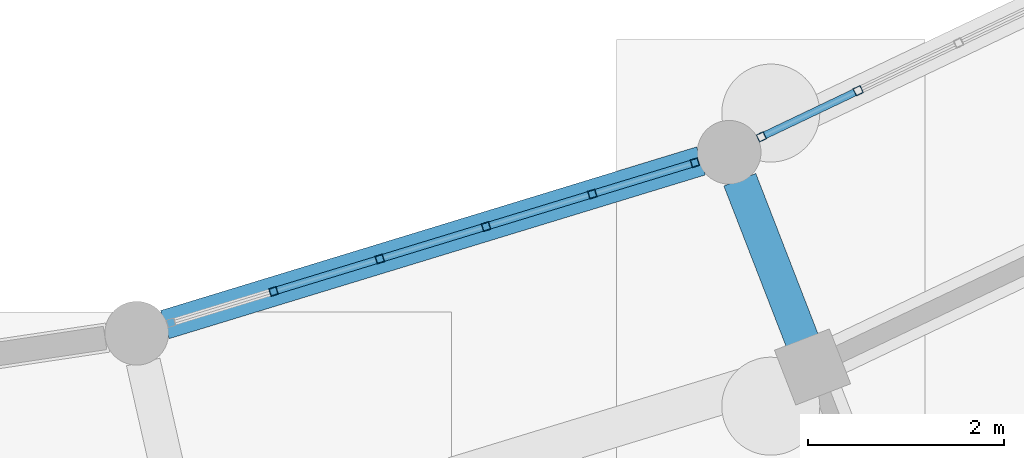
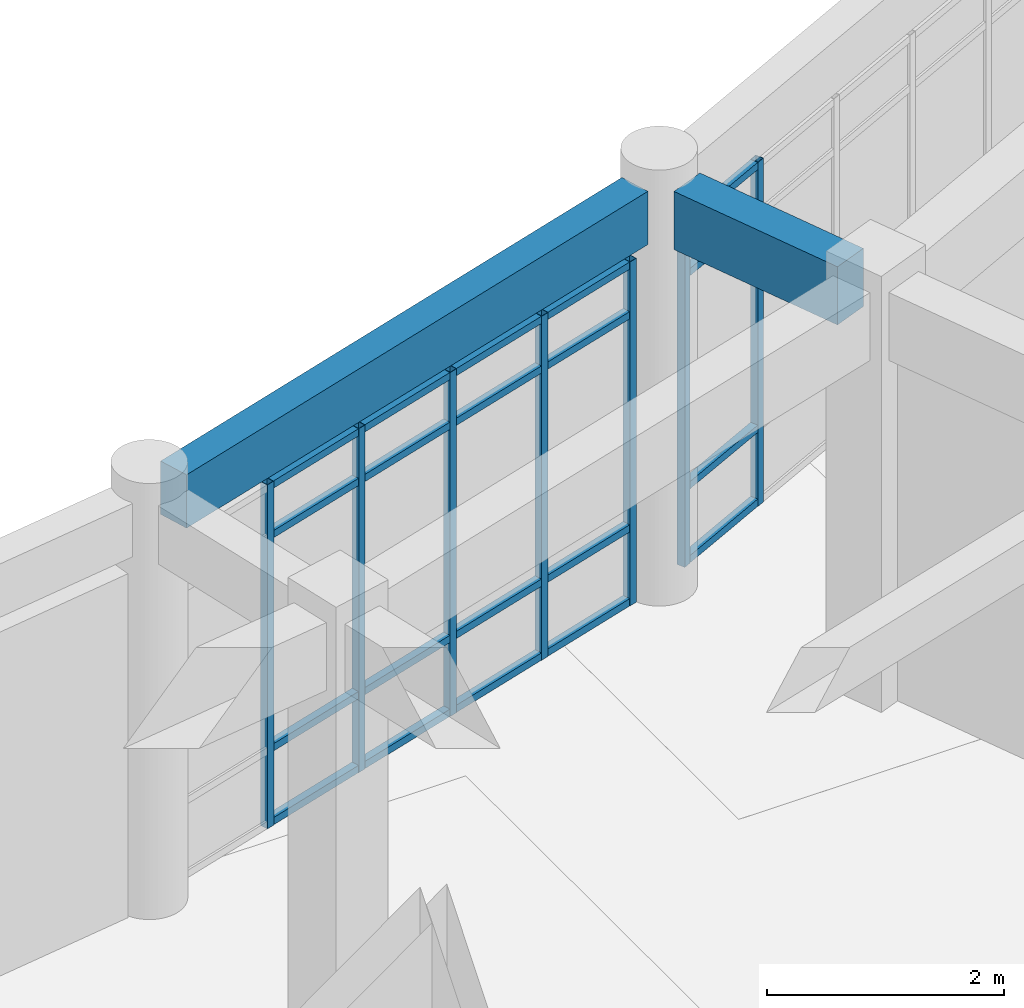
# One storey, part 45 of 153: 27 members, 2 beams, 2 elements without a shape of their own.
"""IFC4 building model written with IfcOpenShell, lengths in metres."""

import ifcopenshell
import ifcopenshell.guid

model = None  # the IFC model being written
_history = None  # IfcOwnerHistory: only IFC2X3 demands one
_inside = {}  # id of a spatial element -> (the spatial element, [elements in it])
_under = {}  # id of a project, library or spatial element -> (it, [spatial elements below it])
_declared = {}  # id of a project -> (the project, [libraries it declares])
_typed = {}  # id of a type object -> (the type object, [elements of that type])
_made_of = {}  # id of a material, layer set ... -> (it, [elements and type objects made of it])


def new_model(schema):
    """Start an empty IFC model of exactly this schema.

    Asked for "IFC4X3", IfcOpenShell would pick the latest addendum, in which some entities
    have other attributes; the version numbers below select the first issue.
    IFC2X3 requires an IfcOwnerHistory on every rooted entity: one is made here for all.
    """
    global model, _history
    if schema == "IFC4X3":
        model = ifcopenshell.file(schema_version=(4, 3, 0, 0))
    else:
        model = ifcopenshell.file(schema=schema)
    _inside.clear()
    _under.clear()
    _declared.clear()
    _typed.clear()
    _made_of.clear()
    _history = None
    if model.schema == "IFC2X3":
        org = make("IfcOrganization", Name="unknown")
        user = make(
            "IfcPersonAndOrganization",
            ThePerson=make("IfcPerson", FamilyName="unknown"),
            TheOrganization=org,
        )
        app = make(
            "IfcApplication",
            ApplicationDeveloper=org,
            Version="unknown",
            ApplicationFullName="unknown",
            ApplicationIdentifier="unknown",
        )
        _history = make(
            "IfcOwnerHistory",
            OwningUser=user,
            OwningApplication=app,
            ChangeAction="ADDED",
            CreationDate=0,
        )
    return model


def make(cls, **values):
    """One entity of the class cls with the attributes given. An attribute that is None is left unset."""
    return model.create_entity(
        cls, **{name: value for name, value in values.items() if value is not None}
    )


def rooted(cls, **values):
    """An entity with a GlobalId (a new one), such as an element, a storey or a relation."""
    return make(cls, GlobalId=ifcopenshell.guid.new(), OwnerHistory=_history, **values)


def si_unit(unit_type, name, prefix=None):
    """IfcSIUnit, for example si_unit("LENGTHUNIT", "METRE", prefix="MILLI")."""
    return make("IfcSIUnit", UnitType=unit_type, Prefix=prefix, Name=name)


def assignment(units):
    """IfcUnitAssignment: the units of a project."""
    return None if units is None else make("IfcUnitAssignment", Units=units)


def point(xyz):
    """IfcCartesianPoint."""
    return None if xyz is None else make("IfcCartesianPoint", Coordinates=xyz)


def direction(xyz):
    """IfcDirection."""
    return None if xyz is None else make("IfcDirection", DirectionRatios=xyz)


def frame(location, z_axis=None, x_axis=None):
    """IfcAxis2Placement3D, a coordinate frame: its origin and axes. An axis left out is left unset."""
    return make(
        "IfcAxis2Placement3D",
        Location=point(location),
        Axis=direction(z_axis),
        RefDirection=direction(x_axis),
    )


def frame_2d(location, x_axis=None):
    """IfcAxis2Placement2D, a coordinate frame in the plane: its origin and x axis."""
    return make(
        "IfcAxis2Placement2D", Location=point(location), RefDirection=direction(x_axis)
    )


def origin():
    """The frame at (0, 0, 0) with its axes left unset."""
    return frame((0.0, 0.0, 0.0))


def origin_2d():
    """The frame at (0, 0) in the plane with its x axis left unset."""
    return frame_2d((0.0, 0.0))


def place(relative_to, where):
    """IfcLocalPlacement: puts the frame where relative to a parent placement (None: the world)."""
    return make(
        "IfcLocalPlacement", PlacementRelTo=relative_to, RelativePlacement=where
    )


def context(
    kind, dimensions, precision=None, world=None, true_north=None, identifier=None
):
    """IfcGeometricRepresentationContext, for example the 3D "Model" context."""
    return make(
        "IfcGeometricRepresentationContext",
        ContextIdentifier=identifier,
        ContextType=kind,
        CoordinateSpaceDimension=dimensions,
        Precision=precision,
        WorldCoordinateSystem=world,
        TrueNorth=true_north,
    )


def subcontext(parent, identifier, kind, view, scale=None):
    """IfcGeometricRepresentationSubContext, for example "Body" below "Model"."""
    return make(
        "IfcGeometricRepresentationSubContext",
        ContextIdentifier=identifier,
        ContextType=kind,
        ParentContext=parent,
        TargetScale=scale,
        TargetView=view,
    )


def project(units=None, contexts=None):
    """IfcProject with its units and contexts."""
    return rooted(
        "IfcProject",
        Name="project",
        RepresentationContexts=contexts,
        UnitsInContext=assignment(units),
    )


def spatial(cls, under=None, at=None, **own):
    """A site, building, storey or space (cls), placed at a placement, below another one or the project."""
    s = rooted(cls, ObjectPlacement=at, **own)
    if under is not None:
        _under.setdefault(under.id(), (under, []))[1].append(s)
    return s


def profile(cls, at=None, kind="AREA", **sizes):
    """A parametric profile (cls). Its sizes go by their IFC names, for example OverallWidth=200.0."""
    return make(cls, ProfileType=kind, Position=at, **sizes)


def rectangle(**sizes):
    """IfcRectangleProfileDef."""
    return profile("IfcRectangleProfileDef", **sizes)


def hollow_rectangle(**sizes):
    """IfcRectangleHollowProfileDef."""
    return profile("IfcRectangleHollowProfileDef", **sizes)


def extrude(swept, where, along, depth):
    """IfcExtrudedAreaSolid: the profile swept, set in the frame where, extruded along a direction by depth."""
    return make(
        "IfcExtrudedAreaSolid",
        SweptArea=swept,
        Position=where,
        ExtrudedDirection=direction(along),
        Depth=depth,
    )


def shape(context_of_items, identifier, shape_type, items):
    """IfcShapeRepresentation: the items that make up one representation, for example the "Body"."""
    return make(
        "IfcShapeRepresentation",
        ContextOfItems=context_of_items,
        RepresentationIdentifier=identifier,
        RepresentationType=shape_type,
        Items=items,
    )


def material(Name=None, Category=None):
    """IfcMaterial."""
    return make("IfcMaterial", Name=Name, Category=Category)


def material_profile(
    of_material, cross_section, Name=None, Category=None, Priority=None
):
    """IfcMaterialProfile: a cross section and its material."""
    return make(
        "IfcMaterialProfile",
        Name=Name,
        Material=of_material,
        Profile=cross_section,
        Priority=Priority,
        Category=Category,
    )


def profile_set(profiles, Name=None, composite=None):
    """IfcMaterialProfileSet."""
    return make(
        "IfcMaterialProfileSet",
        Name=Name,
        MaterialProfiles=profiles,
        CompositeProfile=composite,
    )


def made_of(thing, what):
    """Note that an element or type object is made of a material, layer set ...; save() writes the relation."""
    if what is not None:
        _made_of.setdefault(what.id(), (what, []))[1].append(thing)
    return thing


def type_object(cls, material=None, **own):
    """A type object (cls), such as IfcWallType, which elements share."""
    return made_of(rooted(cls, **own), material)


def element(
    cls,
    number,
    at=None,
    inside=None,
    cuts=None,
    type_object=None,
    material=None,
    context=None,
    identifier="Body",
    shape_type=None,
    held_by="IfcProductDefinitionShape",
    body=None,
    shapes=None,
    **own,
):
    """One element of the class cls, such as IfcWall. Its Tag is "e" and its number.

    at: its placement. inside: the storey or other place that contains it. cuts: it is an
    opening in that element (IfcRelVoidsElement). A single representation is given by context,
    identifier, shape_type and body (its items); several are given by shapes. held_by: the class
    of the entity that holds the representations. save() writes the other relations.
    """
    e = rooted(cls, Tag="e%d" % number, ObjectPlacement=at, **own)
    if body is not None:
        shapes = [shape(context, identifier, shape_type, body)]
    if shapes is not None:
        e.Representation = make(held_by, Representations=shapes)
    if inside is not None:
        _inside.setdefault(inside.id(), (inside, []))[1].append(e)
    if cuts is not None:
        rooted(
            "IfcRelVoidsElement", RelatingBuildingElement=cuts, RelatedOpeningElement=e
        )
    if type_object is not None:
        _typed.setdefault(type_object.id(), (type_object, []))[1].append(e)
    return made_of(e, material)


def aggregate(whole, parts):
    """IfcRelAggregates: a whole, such as a stair, and the parts it consists of."""
    return rooted("IfcRelAggregates", RelatingObject=whole, RelatedObjects=parts)


def save(model, path):
    """Write the relations noted so far, then the file.

    IfcRelAggregates (storeys below a building ...), IfcRelContainedInSpatialStructure (elements
    in a storey), IfcRelDefinesByType, IfcRelAssociatesMaterial and IfcRelDeclares: one each for
    every whole, place, type object, material and project.
    """
    for whole, parts in _under.values():
        aggregate(whole, parts)
    for where, things in _inside.values():
        rooted(
            "IfcRelContainedInSpatialStructure",
            RelatedElements=things,
            RelatingStructure=where,
        )
    for kind, things in _typed.values():
        rooted("IfcRelDefinesByType", RelatedObjects=things, RelatingType=kind)
    for what, things in _made_of.values():
        rooted("IfcRelAssociatesMaterial", RelatedObjects=things, RelatingMaterial=what)
    for by, libraries in _declared.values():
        rooted("IfcRelDeclares", RelatingContext=by, RelatedDefinitions=libraries)
    model.write(path)


model = new_model("IFC4")

# Units and contexts
model_context = context("Model", 3, precision=1e-05, world=origin(), true_north=direction((0.0, 1.0)))
body_context = subcontext(model_context, "Body", "Model", "MODEL_VIEW")
ifc_project = project(units=[si_unit("LENGTHUNIT", "METRE"), si_unit("AREAUNIT", "SQUARE_METRE"), si_unit("VOLUMEUNIT", "CUBIC_METRE"), si_unit("PLANEANGLEUNIT", "RADIAN"), si_unit("MASSUNIT", "GRAM", prefix="KILO")], contexts=[model_context])

# Site, building, storey
site_placement = place(None, origin())
site = spatial("IfcSite", under=ifc_project, at=site_placement, CompositionType="ELEMENT")
building_placement = place(site_placement, origin())
building = spatial("IfcBuilding", under=site, at=building_placement, Name="Celadon Cloister-Ring School", CompositionType="ELEMENT")
storey_placement = place(building_placement, origin())
storey = spatial("IfcBuildingStorey", under=building, at=storey_placement, Name="L00", CompositionType="ELEMENT", Elevation=0.0)

# Beam
ifc_material_1 = material(Name="Concrete C35/45", Category="concrete")
ifc_material_profile_1 = material_profile(ifc_material_1, rectangle(XDim=0.35009765625, YDim=0.60009765625, at=origin_2d()), Name="RC350X600")
ifc_profile_set_1 = profile_set([ifc_material_profile_1], Name="Concrete C35/45")
beam_type_1 = type_object("IfcBeamType", Name="BT-02", PredefinedType="BEAM", material=ifc_profile_set_1)
beam_1_placement = place(storey_placement, frame((103.201904296875, 17.31298828125, 3.97998046875), z_axis=(-0.361762199157, 0.932270406728, 0.0), x_axis=(-0.932270406728, -0.361762199157, 0.0)))
element("IfcBeam", 1, at=beam_1_placement, inside=storey, type_object=beam_type_1, Name="Beam 0039", PredefinedType="BEAM", context=body_context, shape_type="SweptSolid", body=[
    extrude(rectangle(XDim=0.35009765625, YDim=0.60009765625, at=origin_2d()), origin(), (0.0, 0.0, 1.0), 1.774169921875),
])

# Curtain wall, members
ifc_material_2 = material(Name="Aluminium EN AW-6063 T6", Category="aluminium")
curtain_wall_type = type_object("IfcCurtainWallType", Name="CW-01", PredefinedType="USERDEFINED", material=ifc_material_2)
curtain_wall_1_placement = place(storey_placement, origin())
curtain_wall_1 = element("IfcCurtainWall", 2, at=curtain_wall_1_placement, inside=storey, type_object=curtain_wall_type, Name="Curtain Wall 0011", ObjectType="CURTAIN WALL", PredefinedType="USERDEFINED")
ifc_material_3 = material(Name="Aluminium EN AW-6063 T6", Category="aluminium")
ifc_material_profile_2 = material_profile(ifc_material_3, hollow_rectangle(XDim=0.080078125, YDim=0.080078125, WallThickness=0.00390625, at=origin_2d()), Name="RHS80X80X4")
ifc_profile_set_2 = profile_set([ifc_material_profile_2], Name="Aluminium EN AW-6063 T6")
member_type_1 = type_object("IfcMemberType", Name="CM-03", PredefinedType="MULLION", material=ifc_profile_set_2)
member_1_placement = place(storey_placement, frame((97.80322265625, 17.8271484375, 0.0), z_axis=(0.0, 0.0, 1.0), x_axis=(-0.2921513036, 0.956372111578, 0.0)))
member_1 = element("IfcMember", 3, at=member_1_placement, type_object=member_type_1, Name="CW-01 mullion 2", PredefinedType="MULLION", context=body_context, shape_type="SweptSolid", body=[
    extrude(hollow_rectangle(XDim=0.080078125, YDim=0.080078125, WallThickness=0.00390625, at=origin_2d()), origin(), (0.0, 0.0, 1.0), 3.550048828125),
])
member_2_placement = place(storey_placement, frame((98.887451171875, 18.158447265625, 0.0), z_axis=(0.0, 0.0, 1.0), x_axis=(-0.2921513036, 0.956372111578, 0.0)))
member_2 = element("IfcMember", 4, at=member_2_placement, type_object=member_type_1, Name="CW-01 mullion 3", PredefinedType="MULLION", context=body_context, shape_type="SweptSolid", body=[
    extrude(hollow_rectangle(XDim=0.080078125, YDim=0.080078125, WallThickness=0.00390625, at=origin_2d()), origin(), (0.0, 0.0, 1.0), 3.550048828125),
])
member_3_placement = place(storey_placement, frame((99.9716796875, 18.489501953125, 0.0), z_axis=(0.0, 0.0, 1.0), x_axis=(-0.2921513036, 0.956372111578, 0.0)))
member_3 = element("IfcMember", 5, at=member_3_placement, type_object=member_type_1, Name="CW-01 mullion 4", PredefinedType="MULLION", context=body_context, shape_type="SweptSolid", body=[
    extrude(hollow_rectangle(XDim=0.080078125, YDim=0.080078125, WallThickness=0.00390625, at=origin_2d()), origin(), (0.0, 0.0, 1.0), 3.550048828125),
])
member_4_placement = place(storey_placement, frame((101.055908203125, 18.82080078125, 0.0), z_axis=(0.0, 0.0, 1.0), x_axis=(-0.2921513036, 0.956372111578, 0.0)))
member_4 = element("IfcMember", 6, at=member_4_placement, type_object=member_type_1, Name="CW-01 mullion 5", PredefinedType="MULLION", context=body_context, shape_type="SweptSolid", body=[
    extrude(hollow_rectangle(XDim=0.080078125, YDim=0.080078125, WallThickness=0.00390625, at=origin_2d()), origin(), (0.0, 0.0, 1.0), 3.550048828125),
])
member_5_placement = place(storey_placement, frame((102.101806640625, 19.140380859375, 0.0), z_axis=(0.0, 0.0, 1.0), x_axis=(-0.2921513036, 0.956372111578, 0.0)))
member_5 = element("IfcMember", 7, at=member_5_placement, type_object=member_type_1, Name="CW-01 mullion 6", PredefinedType="MULLION", context=body_context, shape_type="SweptSolid", body=[
    extrude(hollow_rectangle(XDim=0.080078125, YDim=0.080078125, WallThickness=0.00390625, at=origin_2d()), origin(), (0.0, 0.0, 1.0), 3.550048828125),
])

curtain_wall_2_placement = place(storey_placement, origin())
curtain_wall_2 = element("IfcCurtainWall", 8, at=curtain_wall_2_placement, inside=storey, type_object=curtain_wall_type, Name="Curtain Wall 0012", ObjectType="CURTAIN WALL", PredefinedType="USERDEFINED")
member_6_placement = place(storey_placement, frame((102.780029296875, 19.404296875, 0.0), z_axis=(0.0, 0.0, 1.0), x_axis=(-0.430200582842, 0.902733326361, 0.0)))
member_6 = element("IfcMember", 9, at=member_6_placement, type_object=member_type_1, Name="CW-01 mullion 1", PredefinedType="MULLION", context=body_context, shape_type="SweptSolid", body=[
    extrude(hollow_rectangle(XDim=0.080078125, YDim=0.080078125, WallThickness=0.00390625, at=origin_2d()), origin(), (0.0, 0.0, 1.0), 3.550048828125),
])
member_7_placement = place(storey_placement, frame((103.767578125, 19.874755859375, 0.0), z_axis=(0.0, 0.0, 1.0), x_axis=(-0.430200582842, 0.902733326361, 0.0)))
member_7 = element("IfcMember", 10, at=member_7_placement, type_object=member_type_1, Name="CW-01 mullion 2", PredefinedType="MULLION", context=body_context, shape_type="SweptSolid", body=[
    extrude(hollow_rectangle(XDim=0.080078125, YDim=0.080078125, WallThickness=0.00390625, at=origin_2d()), origin(), (0.0, 0.0, 1.0), 3.550048828125),
])

# Member
ifc_material_4 = material(Name="Aluminium EN AW-6063 T6", Category="aluminium")
ifc_material_profile_3 = material_profile(ifc_material_4, hollow_rectangle(XDim=0.074951171875, YDim=0.074951171875, WallThickness=0.00390625, at=origin_2d()), Name="RHS75X75X4")
ifc_profile_set_3 = profile_set([ifc_material_profile_3], Name="Aluminium EN AW-6063 T6")
member_type_2 = type_object("IfcMemberType", Name="CTM-03", PredefinedType="USERDEFINED", material=ifc_profile_set_3)
member_8_placement = place(storey_placement, frame((97.841552734375, 17.8388671875, 0.03759765625), z_axis=(0.956353369932, 0.292212648288, 0.0), x_axis=(-0.292212648288, 0.956353369932, 0.0)))
member_8 = element("IfcMember", 11, at=member_8_placement, type_object=member_type_2, Name="CW-01 transom 2.1", ObjectType="TRANSOM", PredefinedType="USERDEFINED", context=body_context, shape_type="SweptSolid", body=[
    extrude(hollow_rectangle(XDim=0.074951171875, YDim=0.074951171875, WallThickness=0.00390625, at=origin_2d()), origin(), (0.0, 0.0, 1.0), 1.053466796875),
])

member_9_placement = place(storey_placement, frame((97.841552734375, 17.8388671875, 0.800048828125), z_axis=(0.956353369932, 0.292212648288, 0.0), x_axis=(-0.292212648288, 0.956353369932, 0.0)))
member_9 = element("IfcMember", 12, at=member_9_placement, type_object=member_type_2, Name="CW-01 transom 2.2", ObjectType="TRANSOM", PredefinedType="USERDEFINED", context=body_context, shape_type="SweptSolid", body=[
    extrude(hollow_rectangle(XDim=0.074951171875, YDim=0.074951171875, WallThickness=0.00390625, at=origin_2d()), origin(), (0.0, 0.0, 1.0), 1.053466796875),
])

member_10_placement = place(storey_placement, frame((97.841552734375, 17.8388671875, 3.0), z_axis=(0.956353369932, 0.292212648288, 0.0), x_axis=(-0.292212648288, 0.956353369932, 0.0)))
member_10 = element("IfcMember", 13, at=member_10_placement, type_object=member_type_2, Name="CW-01 transom 2.3", ObjectType="TRANSOM", PredefinedType="USERDEFINED", context=body_context, shape_type="SweptSolid", body=[
    extrude(hollow_rectangle(XDim=0.074951171875, YDim=0.074951171875, WallThickness=0.00390625, at=origin_2d()), origin(), (0.0, 0.0, 1.0), 1.053466796875),
])

member_11_placement = place(storey_placement, frame((97.841552734375, 17.8388671875, 3.512451171875), z_axis=(0.956353369932, 0.292212648288, 0.0), x_axis=(-0.292212648288, 0.956353369932, 0.0)))
member_11 = element("IfcMember", 14, at=member_11_placement, type_object=member_type_2, Name="CW-01 transom 2.4", ObjectType="TRANSOM", PredefinedType="USERDEFINED", context=body_context, shape_type="SweptSolid", body=[
    extrude(hollow_rectangle(XDim=0.074951171875, YDim=0.074951171875, WallThickness=0.00390625, at=origin_2d()), origin(), (0.0, 0.0, 1.0), 1.053466796875),
])

member_12_placement = place(storey_placement, frame((98.925537109375, 18.170166015625, 0.03759765625), z_axis=(0.956373150447, 0.292147902789, 0.0), x_axis=(-0.292147902789, 0.956373150447, 0.0)))
member_12 = element("IfcMember", 15, at=member_12_placement, type_object=member_type_2, Name="CW-01 transom 3.1", ObjectType="TRANSOM", PredefinedType="USERDEFINED", context=body_context, shape_type="SweptSolid", body=[
    extrude(hollow_rectangle(XDim=0.074951171875, YDim=0.074951171875, WallThickness=0.00390625, at=origin_2d()), origin(), (0.0, 0.0, 1.0), 1.0537109375),
])

member_13_placement = place(storey_placement, frame((98.925537109375, 18.170166015625, 0.800048828125), z_axis=(0.956373150447, 0.292147902789, 0.0), x_axis=(-0.292147902789, 0.956373150447, 0.0)))
member_13 = element("IfcMember", 16, at=member_13_placement, type_object=member_type_2, Name="CW-01 transom 3.2", ObjectType="TRANSOM", PredefinedType="USERDEFINED", context=body_context, shape_type="SweptSolid", body=[
    extrude(hollow_rectangle(XDim=0.074951171875, YDim=0.074951171875, WallThickness=0.00390625, at=origin_2d()), origin(), (0.0, 0.0, 1.0), 1.0537109375),
])

member_14_placement = place(storey_placement, frame((98.925537109375, 18.170166015625, 3.0), z_axis=(0.956373150447, 0.292147902789, 0.0), x_axis=(-0.292147902789, 0.956373150447, 0.0)))
member_14 = element("IfcMember", 17, at=member_14_placement, type_object=member_type_2, Name="CW-01 transom 3.3", ObjectType="TRANSOM", PredefinedType="USERDEFINED", context=body_context, shape_type="SweptSolid", body=[
    extrude(hollow_rectangle(XDim=0.074951171875, YDim=0.074951171875, WallThickness=0.00390625, at=origin_2d()), origin(), (0.0, 0.0, 1.0), 1.0537109375),
])

member_15_placement = place(storey_placement, frame((98.925537109375, 18.170166015625, 3.512451171875), z_axis=(0.956373150447, 0.292147902789, 0.0), x_axis=(-0.292147902789, 0.956373150447, 0.0)))
member_15 = element("IfcMember", 18, at=member_15_placement, type_object=member_type_2, Name="CW-01 transom 3.4", ObjectType="TRANSOM", PredefinedType="USERDEFINED", context=body_context, shape_type="SweptSolid", body=[
    extrude(hollow_rectangle(XDim=0.074951171875, YDim=0.074951171875, WallThickness=0.00390625, at=origin_2d()), origin(), (0.0, 0.0, 1.0), 1.0537109375),
])

member_16_placement = place(storey_placement, frame((100.009765625, 18.501220703125, 0.03759765625), z_axis=(0.956373150447, 0.292147902789, 0.0), x_axis=(-0.292147902789, 0.956373150447, 0.0)))
member_16 = element("IfcMember", 19, at=member_16_placement, type_object=member_type_2, Name="CW-01 transom 4.1", ObjectType="TRANSOM", PredefinedType="USERDEFINED", context=body_context, shape_type="SweptSolid", body=[
    extrude(hollow_rectangle(XDim=0.074951171875, YDim=0.074951171875, WallThickness=0.00390625, at=origin_2d()), origin(), (0.0, 0.0, 1.0), 1.0537109375),
])

member_17_placement = place(storey_placement, frame((100.009765625, 18.501220703125, 0.800048828125), z_axis=(0.956373150447, 0.292147902789, 0.0), x_axis=(-0.292147902789, 0.956373150447, 0.0)))
member_17 = element("IfcMember", 20, at=member_17_placement, type_object=member_type_2, Name="CW-01 transom 4.2", ObjectType="TRANSOM", PredefinedType="USERDEFINED", context=body_context, shape_type="SweptSolid", body=[
    extrude(hollow_rectangle(XDim=0.074951171875, YDim=0.074951171875, WallThickness=0.00390625, at=origin_2d()), origin(), (0.0, 0.0, 1.0), 1.0537109375),
])

member_18_placement = place(storey_placement, frame((100.009765625, 18.501220703125, 3.0), z_axis=(0.956373150447, 0.292147902789, 0.0), x_axis=(-0.292147902789, 0.956373150447, 0.0)))
member_18 = element("IfcMember", 21, at=member_18_placement, type_object=member_type_2, Name="CW-01 transom 4.3", ObjectType="TRANSOM", PredefinedType="USERDEFINED", context=body_context, shape_type="SweptSolid", body=[
    extrude(hollow_rectangle(XDim=0.074951171875, YDim=0.074951171875, WallThickness=0.00390625, at=origin_2d()), origin(), (0.0, 0.0, 1.0), 1.0537109375),
])

member_19_placement = place(storey_placement, frame((100.009765625, 18.501220703125, 3.512451171875), z_axis=(0.956373150447, 0.292147902789, 0.0), x_axis=(-0.292147902789, 0.956373150447, 0.0)))
member_19 = element("IfcMember", 22, at=member_19_placement, type_object=member_type_2, Name="CW-01 transom 4.4", ObjectType="TRANSOM", PredefinedType="USERDEFINED", context=body_context, shape_type="SweptSolid", body=[
    extrude(hollow_rectangle(XDim=0.074951171875, YDim=0.074951171875, WallThickness=0.00390625, at=origin_2d()), origin(), (0.0, 0.0, 1.0), 1.0537109375),
])

member_20_placement = place(storey_placement, frame((101.093994140625, 18.83251953125, 0.03759765625), z_axis=(0.956375872703, 0.292138991083, 0.0), x_axis=(-0.292138991083, 0.956375872703, 0.0)))
member_20 = element("IfcMember", 23, at=member_20_placement, type_object=member_type_2, Name="CW-01 transom 5.1", ObjectType="TRANSOM", PredefinedType="USERDEFINED", context=body_context, shape_type="SweptSolid", body=[
    extrude(hollow_rectangle(XDim=0.074951171875, YDim=0.074951171875, WallThickness=0.00390625, at=origin_2d()), origin(), (0.0, 0.0, 1.0), 1.013671875),
])

member_21_placement = place(storey_placement, frame((101.093994140625, 18.83251953125, 0.800048828125), z_axis=(0.956375872703, 0.292138991083, 0.0), x_axis=(-0.292138991083, 0.956375872703, 0.0)))
member_21 = element("IfcMember", 24, at=member_21_placement, type_object=member_type_2, Name="CW-01 transom 5.2", ObjectType="TRANSOM", PredefinedType="USERDEFINED", context=body_context, shape_type="SweptSolid", body=[
    extrude(hollow_rectangle(XDim=0.074951171875, YDim=0.074951171875, WallThickness=0.00390625, at=origin_2d()), origin(), (0.0, 0.0, 1.0), 1.013671875),
])

member_22_placement = place(storey_placement, frame((101.093994140625, 18.83251953125, 3.0), z_axis=(0.956375872703, 0.292138991083, 0.0), x_axis=(-0.292138991083, 0.956375872703, 0.0)))
member_22 = element("IfcMember", 25, at=member_22_placement, type_object=member_type_2, Name="CW-01 transom 5.3", ObjectType="TRANSOM", PredefinedType="USERDEFINED", context=body_context, shape_type="SweptSolid", body=[
    extrude(hollow_rectangle(XDim=0.074951171875, YDim=0.074951171875, WallThickness=0.00390625, at=origin_2d()), origin(), (0.0, 0.0, 1.0), 1.013671875),
])

member_23_placement = place(storey_placement, frame((101.093994140625, 18.83251953125, 3.512451171875), z_axis=(0.956375872703, 0.292138991083, 0.0), x_axis=(-0.292138991083, 0.956375872703, 0.0)))
member_23 = element("IfcMember", 26, at=member_23_placement, type_object=member_type_2, Name="CW-01 transom 5.4", ObjectType="TRANSOM", PredefinedType="USERDEFINED", context=body_context, shape_type="SweptSolid", body=[
    extrude(hollow_rectangle(XDim=0.074951171875, YDim=0.074951171875, WallThickness=0.00390625, at=origin_2d()), origin(), (0.0, 0.0, 1.0), 1.013671875),
])

aggregate(curtain_wall_1, [member_1, member_2, member_3, member_4, member_5, member_8, member_9, member_10, member_11, member_12, member_13, member_14, member_15, member_16, member_17, member_18, member_19, member_20, member_21, member_22, member_23])

member_24_placement = place(storey_placement, frame((102.816162109375, 19.42138671875, 0.03759765625), z_axis=(0.902695776549, 0.43027936855, 0.0), x_axis=(-0.43027936855, 0.902695776549, 0.0)))
member_24 = element("IfcMember", 27, at=member_24_placement, type_object=member_type_2, Name="CW-01 transom 1.1", ObjectType="TRANSOM", PredefinedType="USERDEFINED", context=body_context, shape_type="SweptSolid", body=[
    extrude(hollow_rectangle(XDim=0.074951171875, YDim=0.074951171875, WallThickness=0.00390625, at=origin_2d()), origin(), (0.0, 0.0, 1.0), 1.013916015625),
])

member_25_placement = place(storey_placement, frame((102.816162109375, 19.42138671875, 0.800048828125), z_axis=(0.902695776549, 0.43027936855, 0.0), x_axis=(-0.43027936855, 0.902695776549, 0.0)))
member_25 = element("IfcMember", 28, at=member_25_placement, type_object=member_type_2, Name="CW-01 transom 1.2", ObjectType="TRANSOM", PredefinedType="USERDEFINED", context=body_context, shape_type="SweptSolid", body=[
    extrude(hollow_rectangle(XDim=0.074951171875, YDim=0.074951171875, WallThickness=0.00390625, at=origin_2d()), origin(), (0.0, 0.0, 1.0), 1.013916015625),
])

member_26_placement = place(storey_placement, frame((102.816162109375, 19.42138671875, 3.0), z_axis=(0.902695776549, 0.43027936855, 0.0), x_axis=(-0.43027936855, 0.902695776549, 0.0)))
member_26 = element("IfcMember", 29, at=member_26_placement, type_object=member_type_2, Name="CW-01 transom 1.3", ObjectType="TRANSOM", PredefinedType="USERDEFINED", context=body_context, shape_type="SweptSolid", body=[
    extrude(hollow_rectangle(XDim=0.074951171875, YDim=0.074951171875, WallThickness=0.00390625, at=origin_2d()), origin(), (0.0, 0.0, 1.0), 1.013916015625),
])

member_27_placement = place(storey_placement, frame((102.816162109375, 19.42138671875, 3.512451171875), z_axis=(0.902695776549, 0.43027936855, 0.0), x_axis=(-0.43027936855, 0.902695776549, 0.0)))
member_27 = element("IfcMember", 30, at=member_27_placement, type_object=member_type_2, Name="CW-01 transom 1.4", ObjectType="TRANSOM", PredefinedType="USERDEFINED", context=body_context, shape_type="SweptSolid", body=[
    extrude(hollow_rectangle(XDim=0.074951171875, YDim=0.074951171875, WallThickness=0.00390625, at=origin_2d()), origin(), (0.0, 0.0, 1.0), 1.013916015625),
])

aggregate(curtain_wall_2, [member_6, member_7, member_24, member_25, member_26, member_27])

# Beam
ifc_material_5 = material(Name="Concrete C35/45", Category="concrete")
ifc_material_profile_4 = material_profile(ifc_material_5, rectangle(XDim=0.300048828125, YDim=0.550048828125, at=origin_2d()), Name="RC300X550")
ifc_profile_set_4 = profile_set([ifc_material_profile_4], Name="Concrete C35/45")
beam_type_2 = type_object("IfcBeamType", Name="SP-02", PredefinedType="SPANDREL", material=ifc_profile_set_4)
beam_2_placement = place(storey_placement, frame((96.695068359375, 17.489013671875, 4.0048828125), z_axis=(0.956408228497, 0.292033046869, 0.0), x_axis=(-0.292033046869, 0.956408228497, 0.0)))
element("IfcBeam", 31, at=beam_2_placement, inside=storey, type_object=beam_type_2, Name="Beam 0139", PredefinedType="SPANDREL", context=body_context, shape_type="SweptSolid", body=[
    extrude(rectangle(XDim=0.300048828125, YDim=0.550048828125, at=origin_2d()), origin(), (0.0, 0.0, 1.0), 5.71826171875),
])

save(model, "model.ifc")
